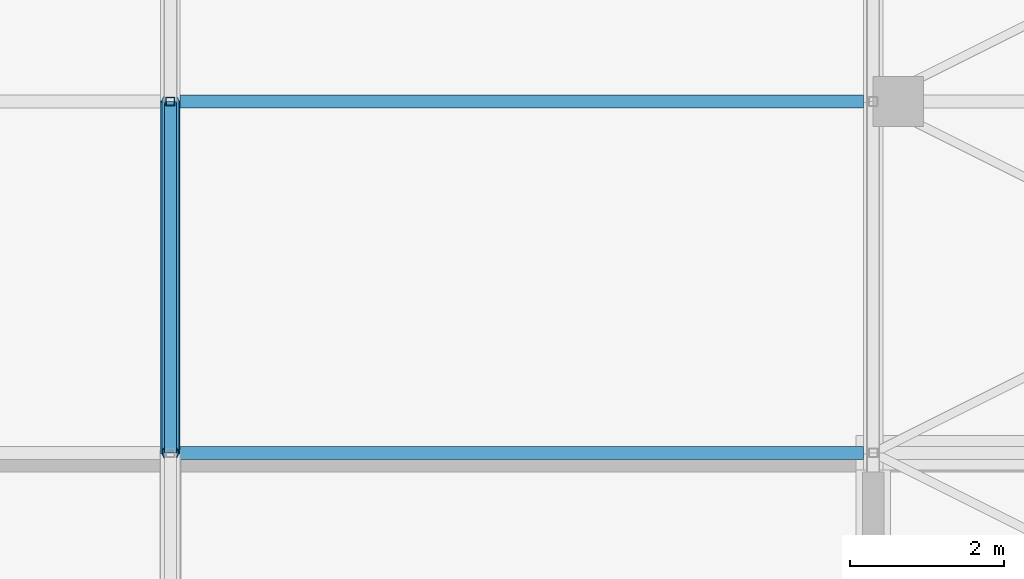
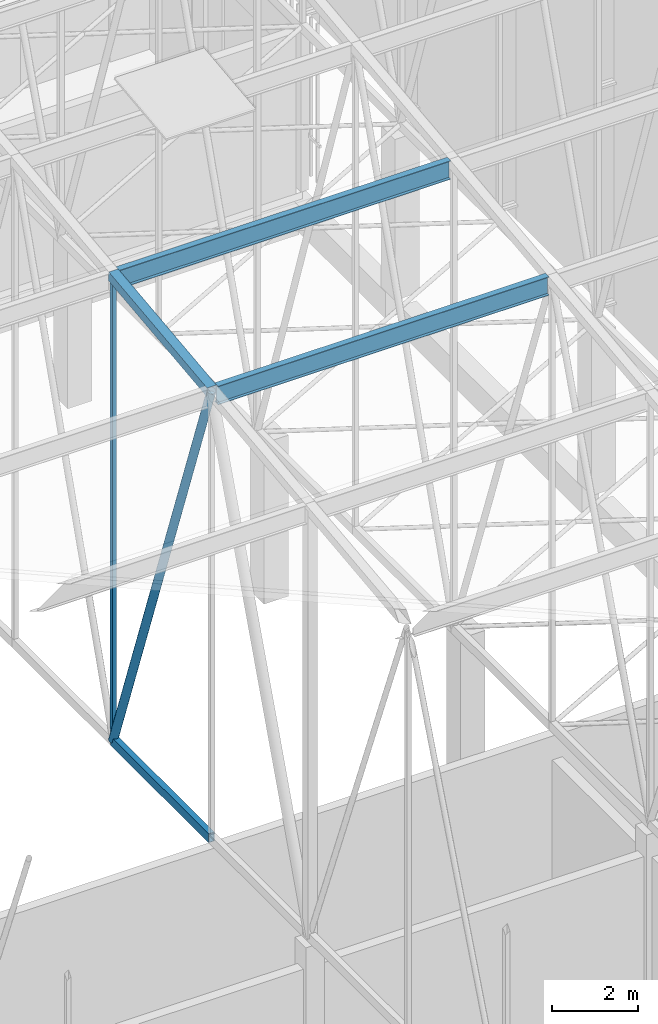
# One storey, part 359 of 500: 6 members.
"""IFC4 building model written with IfcOpenShell, lengths in metres."""

from ifc_helpers import new_model, si_unit, direction, frame, origin, origin_2d, place, context, subcontext, project, spatial, hollow_rectangle, hollow_circle, i_section, extrude, material, material_profile, profile_set, type_object, element, save


model = new_model("IFC4")

# Units and contexts
model_context = context("Model", 3, precision=1e-05, world=origin(), true_north=direction((0.0, 1.0)))
body_context = subcontext(model_context, "Body", "Model", "MODEL_VIEW")
ifc_project = project(units=[si_unit("LENGTHUNIT", "METRE"), si_unit("AREAUNIT", "SQUARE_METRE"), si_unit("VOLUMEUNIT", "CUBIC_METRE"), si_unit("PLANEANGLEUNIT", "RADIAN"), si_unit("MASSUNIT", "GRAM", prefix="KILO")], contexts=[model_context])

# Site, building, storey
site_placement = place(None, origin())
site = spatial("IfcSite", under=ifc_project, at=site_placement, CompositionType="ELEMENT")
building_placement = place(site_placement, origin())
building = spatial("IfcBuilding", under=site, at=building_placement, Name="Shirokan Park Arena", CompositionType="ELEMENT")
storey_placement = place(building_placement, frame((0.0, 0.0, 29.1201171875)))
storey = spatial("IfcBuildingStorey", under=building, at=storey_placement, Name="L06", CompositionType="ELEMENT", Elevation=29.1201171875)

# Members
ifc_material_1 = material(Name="Steel ASTM A500 Grade C", Category="steel")
ifc_material_profile_1 = material_profile(ifc_material_1, hollow_rectangle(XDim=0.152099609375, YDim=0.25390625, WallThickness=0.009521484375, at=origin_2d()), Name="HSS254X152.4X9.5")
ifc_profile_set_1 = profile_set([ifc_material_profile_1], Name="Steel ASTM A500 Grade C")
member_type_1 = type_object("IfcMemberType", Name="Bottom chord HSS254X152.4X9.5", PredefinedType="CHORD", material=ifc_profile_set_1)
member_1_placement = place(storey_placement, frame((127.39990234375, 40.949951171875, 4.677001953125), z_axis=(0.0, 1.0, 0.0), x_axis=(-1.0, 0.0, 0.0)))
element("IfcMember", 1, at=member_1_placement, inside=storey, type_object=member_type_1, Name="Truss T15 bottom chord 12", PredefinedType="CHORD", context=body_context, shape_type="SweptSolid", body=[
    extrude(hollow_rectangle(XDim=0.152099609375, YDim=0.25390625, WallThickness=0.009521484375, at=origin_2d()), origin(), (0.0, 0.0, 1.0), 4.550048828125),
])
ifc_material_2 = material(Name="Steel ASTM A992", Category="steel")
ifc_material_profile_2 = material_profile(ifc_material_2, i_section(OverallWidth=0.166015625, OverallDepth=0.528076171875, WebThickness=0.009765625, FlangeThickness=0.013671875, at=origin_2d()), Name="W530X74")
ifc_profile_set_2 = profile_set([ifc_material_profile_2], Name="Steel ASTM A992")
member_type_2 = type_object("IfcMemberType", Name="Purlin W530X74", PredefinedType="PURLIN", material=ifc_profile_set_2)
for number, where, z_axis, x_axis, name in (
    (2, (127.527099609375, 40.949951171875, 17.165771484375), (1.0, 0.0, 0.0), (0.0, 1.0, 0.0), "Purlin 12 bay 15"),
    (3, (127.527099609375, 45.5, 17.685791015625), (1.0, 0.0, 0.0), (0.0, 1.0, 0.0), "Purlin 13 bay 15"),
):
    element("IfcMember", number, at=place(storey_placement, frame(where, z_axis=z_axis, x_axis=x_axis)), inside=storey, type_object=member_type_2, Name=name, PredefinedType="PURLIN", context=body_context, shape_type="SweptSolid", body=[
        extrude(i_section(OverallWidth=0.166015625, OverallDepth=0.528076171875, WebThickness=0.009765625, FlangeThickness=0.013671875, at=origin_2d()), origin(), (0.0, 0.0, 1.0), 8.845947265625),
    ])
ifc_material_profile_3 = material_profile(ifc_material_1, hollow_rectangle(XDim=0.25390625, YDim=0.25390625, WallThickness=0.009521484375, at=origin_2d()), Name="HSS254X254X9.5")
ifc_profile_set_3 = profile_set([ifc_material_profile_3], Name="Steel ASTM A500 Grade C")
member_type_3 = type_object("IfcMemberType", Name="Top chord HSS254X254X9.5", PredefinedType="CHORD", material=ifc_profile_set_3)
member_2_placement = place(storey_placement, frame((127.39990234375, 40.949951171875, 17.302978515625), z_axis=(0.0, 0.993532328996, 0.113549598152), x_axis=(-1.0, 0.0, 0.0)))
element("IfcMember", 4, at=member_2_placement, inside=storey, type_object=member_type_3, Name="Truss T15 top chord 12", PredefinedType="CHORD", context=body_context, shape_type="SweptSolid", body=[
    extrude(hollow_rectangle(XDim=0.25390625, YDim=0.25390625, WallThickness=0.009521484375, at=origin_2d()), origin(), (0.0, 0.0, 1.0), 4.57958984375),
])
ifc_material_profile_4 = material_profile(ifc_material_1, hollow_circle(Radius=0.109619140625, WallThickness=0.009521484375, at=origin_2d()), Name="HSS219.1X9.5")
ifc_profile_set_4 = profile_set([ifc_material_profile_4], Name="Steel ASTM A500 Grade C")
member_type_4 = type_object("IfcMemberType", Name="Truss diagonal HSS219.1X9.5", PredefinedType="BRACE", material=ifc_profile_set_4)
member_3_placement = place(storey_placement, frame((127.39990234375, 40.949951171875, 17.302978515625), z_axis=(0.0, 0.339029292845, -0.940775817394), x_axis=(-1.0, 0.0, 0.0)))
element("IfcMember", 5, at=member_3_placement, inside=storey, type_object=member_type_4, Name="Truss T15 diagonal 12", PredefinedType="BRACE", context=body_context, shape_type="SweptSolid", body=[
    extrude(hollow_circle(Radius=0.109619140625, WallThickness=0.009521484375, at=origin_2d()), origin(), (0.0, 0.0, 1.0), 13.4208984375),
])
ifc_material_profile_5 = material_profile(ifc_material_1, hollow_rectangle(XDim=0.114013671875, YDim=0.114013671875, WallThickness=0.00634765625, at=origin_2d()), Name="HSS114.3X114.3X6.4")
ifc_profile_set_5 = profile_set([ifc_material_profile_5], Name="Steel ASTM A500 Grade C")
member_type_5 = type_object("IfcMemberType", Name="Truss post HSS114.3X114.3X6.4", PredefinedType="POST", material=ifc_profile_set_5)
member_4_placement = place(storey_placement, frame((127.39990234375, 45.5, 4.677001953125), z_axis=(0.0, 0.0, 1.0), x_axis=(1.0, 0.0, 0.0)))
element("IfcMember", 6, at=member_4_placement, inside=storey, type_object=member_type_5, Name="Truss T15 post 13", PredefinedType="POST", context=body_context, shape_type="SweptSolid", body=[
    extrude(hollow_rectangle(XDim=0.114013671875, YDim=0.114013671875, WallThickness=0.00634765625, at=origin_2d()), origin(), (0.0, 0.0, 1.0), 13.14599609375),
])

save(model, "model.ifc")
